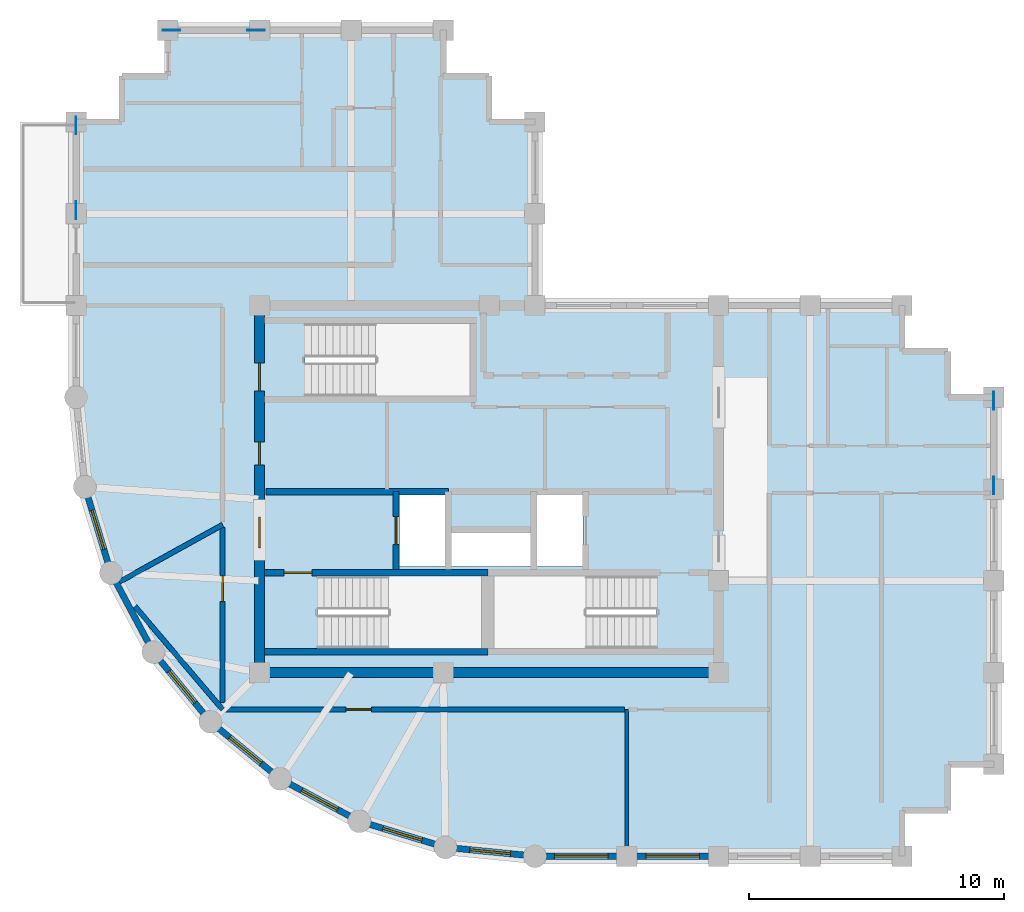
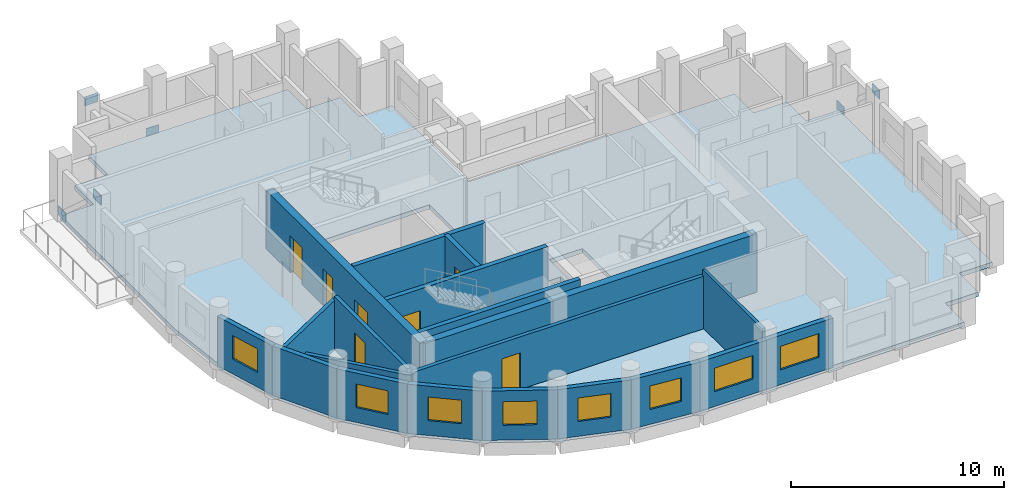
# One storey, part 2 of 6: 20 walls, 8 windows, 7 doors, 6 plates, 1 slab, 15 openings.
"""IFC4 building model written with IfcOpenShell, lengths in metres."""

import ifcopenshell
import ifcopenshell.guid

model = None  # the IFC model being written
_history = None  # IfcOwnerHistory: only IFC2X3 demands one
_inside = {}  # id of a spatial element -> (the spatial element, [elements in it])
_under = {}  # id of a project, library or spatial element -> (it, [spatial elements below it])
_declared = {}  # id of a project -> (the project, [libraries it declares])
_typed = {}  # id of a type object -> (the type object, [elements of that type])
_made_of = {}  # id of a material, layer set ... -> (it, [elements and type objects made of it])


def new_model(schema):
    """Start an empty IFC model of exactly this schema.

    Asked for "IFC4X3", IfcOpenShell would pick the latest addendum, in which some entities
    have other attributes; the version numbers below select the first issue.
    IFC2X3 requires an IfcOwnerHistory on every rooted entity: one is made here for all.
    """
    global model, _history
    if schema == "IFC4X3":
        model = ifcopenshell.file(schema_version=(4, 3, 0, 0))
    else:
        model = ifcopenshell.file(schema=schema)
    _inside.clear()
    _under.clear()
    _declared.clear()
    _typed.clear()
    _made_of.clear()
    _history = None
    if model.schema == "IFC2X3":
        org = make("IfcOrganization", Name="unknown")
        user = make(
            "IfcPersonAndOrganization",
            ThePerson=make("IfcPerson", FamilyName="unknown"),
            TheOrganization=org,
        )
        app = make(
            "IfcApplication",
            ApplicationDeveloper=org,
            Version="unknown",
            ApplicationFullName="unknown",
            ApplicationIdentifier="unknown",
        )
        _history = make(
            "IfcOwnerHistory",
            OwningUser=user,
            OwningApplication=app,
            ChangeAction="ADDED",
            CreationDate=0,
        )
    return model


def make(cls, **values):
    """One entity of the class cls with the attributes given. An attribute that is None is left unset."""
    return model.create_entity(
        cls, **{name: value for name, value in values.items() if value is not None}
    )


def rooted(cls, **values):
    """An entity with a GlobalId (a new one), such as an element, a storey or a relation."""
    return make(cls, GlobalId=ifcopenshell.guid.new(), OwnerHistory=_history, **values)


def si_unit(unit_type, name, prefix=None):
    """IfcSIUnit, for example si_unit("LENGTHUNIT", "METRE", prefix="MILLI")."""
    return make("IfcSIUnit", UnitType=unit_type, Prefix=prefix, Name=name)


def assignment(units):
    """IfcUnitAssignment: the units of a project."""
    return None if units is None else make("IfcUnitAssignment", Units=units)


def point(xyz):
    """IfcCartesianPoint."""
    return None if xyz is None else make("IfcCartesianPoint", Coordinates=xyz)


def direction(xyz):
    """IfcDirection."""
    return None if xyz is None else make("IfcDirection", DirectionRatios=xyz)


def frame(location, z_axis=None, x_axis=None):
    """IfcAxis2Placement3D, a coordinate frame: its origin and axes. An axis left out is left unset."""
    return make(
        "IfcAxis2Placement3D",
        Location=point(location),
        Axis=direction(z_axis),
        RefDirection=direction(x_axis),
    )


def frame_2d(location, x_axis=None):
    """IfcAxis2Placement2D, a coordinate frame in the plane: its origin and x axis."""
    return make(
        "IfcAxis2Placement2D", Location=point(location), RefDirection=direction(x_axis)
    )


def origin():
    """The frame at (0, 0, 0) with its axes left unset."""
    return frame((0.0, 0.0, 0.0))


def origin_2d():
    """The frame at (0, 0) in the plane with its x axis left unset."""
    return frame_2d((0.0, 0.0))


def place(relative_to, where):
    """IfcLocalPlacement: puts the frame where relative to a parent placement (None: the world)."""
    return make(
        "IfcLocalPlacement", PlacementRelTo=relative_to, RelativePlacement=where
    )


def context(
    kind, dimensions, precision=None, world=None, true_north=None, identifier=None
):
    """IfcGeometricRepresentationContext, for example the 3D "Model" context."""
    return make(
        "IfcGeometricRepresentationContext",
        ContextIdentifier=identifier,
        ContextType=kind,
        CoordinateSpaceDimension=dimensions,
        Precision=precision,
        WorldCoordinateSystem=world,
        TrueNorth=true_north,
    )


def subcontext(parent, identifier, kind, view, scale=None):
    """IfcGeometricRepresentationSubContext, for example "Body" below "Model"."""
    return make(
        "IfcGeometricRepresentationSubContext",
        ContextIdentifier=identifier,
        ContextType=kind,
        ParentContext=parent,
        TargetScale=scale,
        TargetView=view,
    )


def project(units=None, contexts=None):
    """IfcProject with its units and contexts."""
    return rooted(
        "IfcProject",
        Name="project",
        RepresentationContexts=contexts,
        UnitsInContext=assignment(units),
    )


def spatial(cls, under=None, at=None, **own):
    """A site, building, storey or space (cls), placed at a placement, below another one or the project."""
    s = rooted(cls, ObjectPlacement=at, **own)
    if under is not None:
        _under.setdefault(under.id(), (under, []))[1].append(s)
    return s


def polyline(points):
    """IfcPolyline through the points."""
    return make("IfcPolyline", Points=[point(p) for p in points])


def profile(cls, at=None, kind="AREA", **sizes):
    """A parametric profile (cls). Its sizes go by their IFC names, for example OverallWidth=200.0."""
    return make(cls, ProfileType=kind, Position=at, **sizes)


def rectangle(**sizes):
    """IfcRectangleProfileDef."""
    return profile("IfcRectangleProfileDef", **sizes)


def outline(outer, holes=None, kind="AREA"):
    """IfcArbitraryClosedProfileDef: a profile drawn as a closed curve; with holes, ...WithVoids."""
    if holes is None:
        return make("IfcArbitraryClosedProfileDef", ProfileType=kind, OuterCurve=outer)
    return make(
        "IfcArbitraryProfileDefWithVoids",
        ProfileType=kind,
        OuterCurve=outer,
        InnerCurves=holes,
    )


def extrude(swept, where, along, depth):
    """IfcExtrudedAreaSolid: the profile swept, set in the frame where, extruded along a direction by depth."""
    return make(
        "IfcExtrudedAreaSolid",
        SweptArea=swept,
        Position=where,
        ExtrudedDirection=direction(along),
        Depth=depth,
    )


def shape(context_of_items, identifier, shape_type, items):
    """IfcShapeRepresentation: the items that make up one representation, for example the "Body"."""
    return make(
        "IfcShapeRepresentation",
        ContextOfItems=context_of_items,
        RepresentationIdentifier=identifier,
        RepresentationType=shape_type,
        Items=items,
    )


def material(Name=None, Category=None):
    """IfcMaterial."""
    return make("IfcMaterial", Name=Name, Category=Category)


def layer(
    of_material, thickness, ventilated=None, Name=None, Category=None, Priority=None
):
    """IfcMaterialLayer: one layer of a wall or slab, of a material (None: an air gap)."""
    return make(
        "IfcMaterialLayer",
        Material=of_material,
        LayerThickness=thickness,
        IsVentilated=ventilated,
        Name=Name,
        Category=Category,
        Priority=Priority,
    )


def layer_set(layers, Name=None):
    """IfcMaterialLayerSet."""
    return make("IfcMaterialLayerSet", MaterialLayers=layers, LayerSetName=Name)


def made_of(thing, what):
    """Note that an element or type object is made of a material, layer set ...; save() writes the relation."""
    if what is not None:
        _made_of.setdefault(what.id(), (what, []))[1].append(thing)
    return thing


def type_object(cls, material=None, **own):
    """A type object (cls), such as IfcWallType, which elements share."""
    return made_of(rooted(cls, **own), material)


def element(
    cls,
    number,
    at=None,
    inside=None,
    cuts=None,
    type_object=None,
    material=None,
    context=None,
    identifier="Body",
    shape_type=None,
    held_by="IfcProductDefinitionShape",
    body=None,
    shapes=None,
    **own,
):
    """One element of the class cls, such as IfcWall. Its Tag is "e" and its number.

    at: its placement. inside: the storey or other place that contains it. cuts: it is an
    opening in that element (IfcRelVoidsElement). A single representation is given by context,
    identifier, shape_type and body (its items); several are given by shapes. held_by: the class
    of the entity that holds the representations. save() writes the other relations.
    """
    e = rooted(cls, Tag="e%d" % number, ObjectPlacement=at, **own)
    if body is not None:
        shapes = [shape(context, identifier, shape_type, body)]
    if shapes is not None:
        e.Representation = make(held_by, Representations=shapes)
    if inside is not None:
        _inside.setdefault(inside.id(), (inside, []))[1].append(e)
    if cuts is not None:
        rooted(
            "IfcRelVoidsElement", RelatingBuildingElement=cuts, RelatedOpeningElement=e
        )
    if type_object is not None:
        _typed.setdefault(type_object.id(), (type_object, []))[1].append(e)
    return made_of(e, material)


def fill(opening, filler):
    """IfcRelFillsElement: the door or window that sits in an opening."""
    return rooted(
        "IfcRelFillsElement",
        RelatingOpeningElement=opening,
        RelatedBuildingElement=filler,
    )


def aggregate(whole, parts):
    """IfcRelAggregates: a whole, such as a stair, and the parts it consists of."""
    return rooted("IfcRelAggregates", RelatingObject=whole, RelatedObjects=parts)


def save(model, path):
    """Write the relations noted so far, then the file.

    IfcRelAggregates (storeys below a building ...), IfcRelContainedInSpatialStructure (elements
    in a storey), IfcRelDefinesByType, IfcRelAssociatesMaterial and IfcRelDeclares: one each for
    every whole, place, type object, material and project.
    """
    for whole, parts in _under.values():
        aggregate(whole, parts)
    for where, things in _inside.values():
        rooted(
            "IfcRelContainedInSpatialStructure",
            RelatedElements=things,
            RelatingStructure=where,
        )
    for kind, things in _typed.values():
        rooted("IfcRelDefinesByType", RelatedObjects=things, RelatingType=kind)
    for what, things in _made_of.values():
        rooted("IfcRelAssociatesMaterial", RelatedObjects=things, RelatingMaterial=what)
    for by, libraries in _declared.values():
        rooted("IfcRelDeclares", RelatingContext=by, RelatedDefinitions=libraries)
    model.write(path)


model = new_model("IFC4")

# Units and contexts
model_context = context("Model", 3, precision=1e-05, world=origin(), true_north=direction((0.0, 1.0)))
body_context = subcontext(model_context, "Body", "Model", "MODEL_VIEW")
ifc_project = project(units=[si_unit("LENGTHUNIT", "METRE"), si_unit("AREAUNIT", "SQUARE_METRE"), si_unit("VOLUMEUNIT", "CUBIC_METRE"), si_unit("PLANEANGLEUNIT", "RADIAN"), si_unit("MASSUNIT", "GRAM", prefix="KILO")], contexts=[model_context])

# Site, building, storey
site_placement = place(None, origin())
site = spatial("IfcSite", under=ifc_project, at=site_placement, CompositionType="ELEMENT")
building_placement = place(site_placement, origin())
building = spatial("IfcBuilding", under=site, at=building_placement, Name="Solnavia Interchange Tower", CompositionType="ELEMENT")
storey_placement = place(building_placement, frame((0.0, 0.0, 270.199951171875)))
storey = spatial("IfcBuildingStorey", under=building, at=storey_placement, Name="L68", CompositionType="ELEMENT", Elevation=270.199951171875)

# Plates
ifc_material_1 = material(Name="Steel S460", Category="steel")
ifc_layer_1 = layer(ifc_material_1, 0.030029296875)
ifc_layer_set_1 = layer_set([ifc_layer_1], Name="Steel S460")
plate_type = type_object("IfcPlateType", Name="Plate-Gusset-700x520x30", PredefinedType="USERDEFINED", material=ifc_layer_set_1)
for number, where, z_axis, x_axis, name in (
    (1, (7.199951171875, 32.260009765625, -0.080078125), (0.0, 0.0, 1.0), (0.0, -1.0, 0.0), "PLT-L68-GP01 Perimeter brace gusset plate"),
    (2, (7.199951171875, 28.93994140625, 2.91015625), (0.0, 0.0, 1.0), (0.0, -1.0, 0.0), "PLT-L68-GP02 Perimeter brace gusset plate"),
    (3, (43.199951171875, 21.4599609375, -0.080078125), (0.0, 0.0, 1.0), (0.0, -1.0, 0.0), "PLT-L68-GP03 Perimeter brace gusset plate"),
    (4, (43.199951171875, 18.139892578125, 2.91015625), (0.0, 0.0, 1.0), (0.0, -1.0, 0.0), "PLT-L68-GP04 Perimeter brace gusset plate"),
    (5, (14.260009765625, 36.0, -0.080078125), (0.0, 0.0, 1.0), (-1.0, 0.0, 0.0), "PLT-L68-GP05 Perimeter brace gusset plate"),
    (6, (10.93994140625, 36.0, 2.91015625), (0.0, 0.0, 1.0), (-1.0, 0.0, 0.0), "PLT-L68-GP06 Perimeter brace gusset plate"),
):
    element("IfcPlate", number, at=place(storey_placement, frame(where, z_axis=z_axis, x_axis=x_axis)), inside=storey, type_object=plate_type, Name=name, ObjectType="GUSSET PLATE", PredefinedType="USERDEFINED", context=body_context, shape_type="SweptSolid", body=[
        extrude(rectangle(XDim=0.699951171875, YDim=0.030029296875, at=origin_2d()), origin(), (0.0, 0.0, 1.0), 0.52001953125),
    ])

# Slab
ifc_material_2 = material(Name="Concrete C40/50", Category="concrete")
ifc_layer_2 = layer(ifc_material_2, 0.25)
ifc_layer_set_2 = layer_set([ifc_layer_2], Name="Concrete C40/50")
slab_type = type_object("IfcSlabType", Name="Slab-Tower-250", PredefinedType="FLOOR", material=ifc_layer_set_2)
slab_placement = place(storey_placement, frame((0.0, 0.0, -0.25)))
element("IfcSlab", 7, at=slab_placement, inside=storey, type_object=slab_type, Name="SLB-L68-01 Structural floor slab", PredefinedType="FLOOR", context=body_context, shape_type="SweptSolid", body=[
    extrude(outline(polyline([(25.199951171875, 3.60009765625), (39.60009765625, 3.60009765625), (39.60009765625, 5.39990234375), (41.39990234375, 5.39990234375), (41.39990234375, 7.199951171875), (43.199951171875, 7.199951171875), (43.199951171875, 21.60009765625), (41.39990234375, 21.60009765625), (41.39990234375, 23.39990234375), (39.60009765625, 23.39990234375), (39.60009765625, 25.199951171875), (25.199951171875, 25.199951171875), (25.199951171875, 32.39990234375), (23.39990234375, 32.39990234375), (23.39990234375, 34.199951171875), (21.60009765625, 34.199951171875), (21.60009765625, 36.0), (10.800048828125, 36.0), (10.800048828125, 34.199951171875), (9.0, 34.199951171875), (9.0, 32.39990234375), (7.199951171875, 32.39990234375), (7.199951171875, 21.60009765625), (7.5458984375, 18.087890625), (8.570068359375, 14.7119140625), (10.23388671875, 11.60009765625), (12.471923828125, 8.8720703125), (15.199951171875, 6.634033203125), (18.31201171875, 4.969970703125), (21.68798828125, 3.946044921875), (25.199951171875, 3.60009765625)]), holes=[polyline([(16.675048828125, 11.75), (23.10009765625, 11.75), (23.10009765625, 14.590087890625), (16.675048828125, 14.590087890625), (16.675048828125, 11.75)]), polyline([(23.60009765625, 11.75), (29.97509765625, 11.75), (29.97509765625, 14.590087890625), (23.60009765625, 14.590087890625), (23.60009765625, 11.75)]), polyline([(16.175048828125, 21.64990234375), (22.64990234375, 21.64990234375), (22.64990234375, 24.489990234375), (16.175048828125, 24.489990234375), (16.175048828125, 21.64990234375)]), polyline([(19.8798828125, 14.9599609375), (21.679931640625, 14.9599609375), (21.679931640625, 17.780029296875), (19.8798828125, 17.780029296875), (19.8798828125, 14.9599609375)]), polyline([(25.280029296875, 14.9599609375), (27.080078125, 14.9599609375), (27.080078125, 17.780029296875), (25.280029296875, 17.780029296875), (25.280029296875, 14.9599609375)]), polyline([(21.919921875, 14.9599609375), (25.02001953125, 14.9599609375), (25.02001953125, 16.280029296875), (21.919921875, 16.280029296875), (21.919921875, 14.9599609375)])]), origin(), (0.0, 0.0, 1.0), 0.25),
])

# Walls
ifc_material_3 = material(Name="Gypsum Acoustic Twin-Stud & Mineral Wool", Category="gypsum")
ifc_layer_3 = layer(ifc_material_3, 0.199951171875)
ifc_layer_set_3 = layer_set([ifc_layer_3], Name="Gypsum Acoustic Twin-Stud & Mineral Wool")
wall_type_1 = type_object("IfcWallType", Name="Wall-ApartmentParty-200", PredefinedType="PARTITIONING", material=ifc_layer_set_3)
wall_1_placement = place(storey_placement, frame((12.949951171875, 9.35009765625, 0.0), z_axis=(0.0, 0.0, 1.0), x_axis=(-0.648016103597, 0.761626633908, 0.0)))
element("IfcWall", 8, at=wall_1_placement, inside=storey, type_object=wall_type_1, Name="PTW-L68-09 Interior partition wall", PredefinedType="PARTITIONING", context=body_context, shape_type="SweptSolid", body=[
    extrude(rectangle(XDim=5.318603515625, YDim=0.199951171875, at=frame_2d((2.6591796875, 0.0))), origin(), (0.0, 0.0, 1.0), 2.830078125),
])
wall_2_placement = place(storey_placement, frame((12.949951171875, 16.60009765625, 0.0), z_axis=(0.0, 0.0, 1.0), x_axis=(-0.874941893529, -0.484227924586, 0.0)))
element("IfcWall", 9, at=wall_2_placement, inside=storey, type_object=wall_type_1, Name="PTW-L68-10 Interior partition wall", PredefinedType="PARTITIONING", context=body_context, shape_type="SweptSolid", body=[
    extrude(rectangle(XDim=4.70458984375, YDim=0.199951171875, at=frame_2d((2.352294921875, 0.0))), origin(), (0.0, 0.0, 1.0), 2.830078125),
])

# Wall, opening, door
wall_3_placement = place(storey_placement, frame((12.949951171875, 9.627685546875, 0.0), z_axis=(0.0, 0.0, 1.0), x_axis=(0.0, 1.0, 0.0)))
wall_3 = element("IfcWall", 10, at=wall_3_placement, inside=storey, type_object=wall_type_1, Name="PTW-L68-12 Interior partition wall", PredefinedType="PARTITIONING", context=body_context, shape_type="SweptSolid", body=[
    extrude(rectangle(XDim=6.868408203125, YDim=0.199951171875, at=frame_2d((3.43408203125, 0.0))), origin(), (0.0, 0.0, 1.0), 3.030029296875),
])
opening_1_placement = place(wall_3_placement, frame((3.952880859375, 0.0, 0.0)))
opening_1 = element("IfcOpeningElement", 11, at=opening_1_placement, cuts=wall_3, Name="Opening DR-07", PredefinedType="OPENING", context=body_context, shape_type="SweptSolid", body=[
    extrude(rectangle(XDim=1.0, YDim=2.10009765625, at=frame_2d((0.5, 1.050048828125))), frame((0.0, 0.10986328125, 0.0), z_axis=(0.0, -1.0, 0.0), x_axis=(1.0, 0.0, 0.0)), (0.0, 0.0, 1.0), 0.219970703125),
])
ifc_material_4 = material(Name="Timber & Acoustic Glazed Office Door", Category="wood")
door_type_1 = type_object("IfcDoorType", Name="Door-Office-1000x2100", OperationType="SINGLE_SWING_RIGHT", PredefinedType="DOOR", material=ifc_material_4)
door_1_placement = place(opening_1_placement, origin())
door_1 = element("IfcDoor", 12, at=door_1_placement, inside=storey, type_object=door_type_1, Name="DR-L68-04 Interior room door", OperationType="SINGLE_SWING_RIGHT", OverallHeight=2.10009765625, OverallWidth=1.0, PredefinedType="DOOR", context=body_context, shape_type="SweptSolid", body=[
    extrude(rectangle(XDim=1.0, YDim=2.10009765625, at=frame_2d((0.5, 1.050048828125))), frame((0.0, 0.02490234375, 0.0), z_axis=(0.0, -1.0, 0.0), x_axis=(1.0, 0.0, 0.0)), (0.0, 0.0, 1.0), 0.050048828125),
])
fill(opening_1, door_1)

wall_4_placement = place(storey_placement, frame((12.949951171875, 9.35009765625, 0.0), z_axis=(0.0, 0.0, 1.0), x_axis=(1.0, 0.0, 0.0)))
wall_4 = element("IfcWall", 13, at=wall_4_placement, inside=storey, type_object=wall_type_1, Name="PTW-L68-13 Interior partition wall", PredefinedType="PARTITIONING", context=body_context, shape_type="SweptSolid", body=[
    extrude(rectangle(XDim=15.77099609375, YDim=0.199951171875, at=frame_2d((7.885498046875, 0.0))), origin(), (0.0, 0.0, 1.0), 3.02001953125),
])
opening_2_placement = place(wall_4_placement, frame((4.8359375, 0.0, 0.0)))
opening_2 = element("IfcOpeningElement", 14, at=opening_2_placement, cuts=wall_4, Name="Opening DR-07", PredefinedType="OPENING", context=body_context, shape_type="SweptSolid", body=[
    extrude(rectangle(XDim=1.0, YDim=2.10009765625, at=frame_2d((0.5, 1.050048828125))), frame((0.0, 0.10986328125, 0.0), z_axis=(0.0, -1.0, 0.0), x_axis=(1.0, 0.0, 0.0)), (0.0, 0.0, 1.0), 0.219970703125),
])
door_2_placement = place(opening_2_placement, origin())
door_2 = element("IfcDoor", 15, at=door_2_placement, inside=storey, type_object=door_type_1, Name="DR-L68-05 Interior room door", OperationType="SINGLE_SWING_LEFT", OverallHeight=2.10009765625, OverallWidth=1.0, PredefinedType="DOOR", context=body_context, shape_type="SweptSolid", body=[
    extrude(rectangle(XDim=1.0, YDim=2.10009765625, at=frame_2d((0.5, 1.050048828125))), frame((0.0, 0.02490234375, 0.0), z_axis=(0.0, -1.0, 0.0), x_axis=(1.0, 0.0, 0.0)), (0.0, 0.0, 1.0), 0.050048828125),
])
fill(opening_2, door_2)

# Wall, opening, window
ifc_layer_4 = layer(ifc_material_2, 0.25)
ifc_layer_set_4 = layer_set([ifc_layer_4], Name="Concrete C40/50")
wall_type_2 = type_object("IfcWallType", Name="Wall-ExtSpandrel-250", PredefinedType="STANDARD", material=ifc_layer_set_4)
wall_5_placement = place(storey_placement, frame((28.800048828125, 3.60009765625, 0.0), z_axis=(0.0, 0.0, 1.0), x_axis=(-1.0, 0.0, 0.0)))
wall_5 = element("IfcWall", 16, at=wall_5_placement, inside=storey, type_object=wall_type_2, Name="EXW-L68-01 Exterior precast spandrel wall", PredefinedType="STANDARD", context=body_context, shape_type="SweptSolid", body=[
    extrude(rectangle(XDim=3.60009765625, YDim=0.25, at=frame_2d((1.800048828125, 0.0))), origin(), (0.0, 0.0, 1.0), 2.830078125),
])
opening_3_placement = place(wall_5_placement, frame((0.72509765625, 0.0, 0.85009765625)))
opening_3 = element("IfcOpeningElement", 17, at=opening_3_placement, cuts=wall_5, Name="Opening WIN-01", PredefinedType="OPENING", context=body_context, shape_type="SweptSolid", body=[
    extrude(rectangle(XDim=2.10009765625, YDim=1.35009765625, at=frame_2d((1.050048828125, 0.675048828125))), frame((0.0, 0.135009765625, 0.0), z_axis=(0.0, -1.0, 0.0), x_axis=(1.0, 0.0, 0.0)), (0.0, 0.0, 1.0), 0.27001953125),
])
ifc_material_5 = material(Name="Thermal-Break Aluminium & Low-E Glass", Category="aluminium")
window_type_1 = type_object("IfcWindowType", Name="Window-Ribbon-2100x1350", PartitioningType="SINGLE_PANEL", PredefinedType="WINDOW", material=ifc_material_5)
window_1_placement = place(opening_3_placement, origin())
window_1 = element("IfcWindow", 18, at=window_1_placement, inside=storey, type_object=window_type_1, Name="WIN-L68-01 Facade ribbon window", OverallHeight=1.35009765625, OverallWidth=2.10009765625, PartitioningType="SINGLE_PANEL", PredefinedType="WINDOW", context=body_context, shape_type="SweptSolid", body=[
    extrude(rectangle(XDim=2.10009765625, YDim=1.35009765625, at=frame_2d((1.050048828125, 0.675048828125))), frame((0.0, 0.030029296875, 0.0), z_axis=(0.0, -1.0, 0.0), x_axis=(1.0, 0.0, 0.0)), (0.0, 0.0, 1.0), 0.06005859375),
])
fill(opening_3, window_1)

wall_6_placement = place(storey_placement, frame((32.39990234375, 3.60009765625, 0.0), z_axis=(0.0, 0.0, 1.0), x_axis=(-1.0, 0.0, 0.0)))
wall_6 = element("IfcWall", 19, at=wall_6_placement, inside=storey, type_object=wall_type_2, Name="EXW-L68-02 Exterior precast spandrel wall", PredefinedType="STANDARD", context=body_context, shape_type="SweptSolid", body=[
    extrude(rectangle(XDim=3.599853515625, YDim=0.25, at=frame_2d((1.7998046875, 0.0))), origin(), (0.0, 0.0, 1.0), 2.830078125),
])
opening_4_placement = place(wall_6_placement, frame((0.75, 0.0, 0.85009765625)))
opening_4 = element("IfcOpeningElement", 20, at=opening_4_placement, cuts=wall_6, Name="Opening WIN-01", PredefinedType="OPENING", context=body_context, shape_type="SweptSolid", body=[
    extrude(rectangle(XDim=2.10009765625, YDim=1.35009765625, at=frame_2d((1.050048828125, 0.675048828125))), frame((0.0, 0.135009765625, 0.0), z_axis=(0.0, -1.0, 0.0), x_axis=(1.0, 0.0, 0.0)), (0.0, 0.0, 1.0), 0.27001953125),
])
window_2_placement = place(opening_4_placement, origin())
window_2 = element("IfcWindow", 21, at=window_2_placement, inside=storey, type_object=window_type_1, Name="WIN-L68-02 Facade ribbon window", OverallHeight=1.35009765625, OverallWidth=2.10009765625, PartitioningType="SINGLE_PANEL", PredefinedType="WINDOW", context=body_context, shape_type="SweptSolid", body=[
    extrude(rectangle(XDim=2.10009765625, YDim=1.35009765625, at=frame_2d((1.050048828125, 0.675048828125))), frame((0.0, 0.030029296875, 0.0), z_axis=(0.0, -1.0, 0.0), x_axis=(1.0, 0.0, 0.0)), (0.0, 0.0, 1.0), 0.06005859375),
])
fill(opening_4, window_2)

wall_7_placement = place(storey_placement, frame((8.570068359375, 14.7119140625, 0.0), z_axis=(0.0, 0.0, 1.0), x_axis=(-0.290305086481, 0.956934144423, 0.0)))
wall_7 = element("IfcWall", 22, at=wall_7_placement, inside=storey, type_object=wall_type_2, Name="EXW-L68-38 Exterior precast spandrel wall", PredefinedType="STANDARD", context=body_context, shape_type="SweptSolid", body=[
    extrude(rectangle(XDim=3.52783203125, YDim=0.25, at=frame_2d((1.763916015625, 0.0))), origin(), (0.0, 0.0, 1.0), 2.830078125),
])
opening_5_placement = place(wall_7_placement, frame((0.964111328125, 0.0, 0.85009765625)))
opening_5 = element("IfcOpeningElement", 23, at=opening_5_placement, cuts=wall_7, Name="Opening WIN-04", PredefinedType="OPENING", context=body_context, shape_type="SweptSolid", body=[
    extrude(rectangle(XDim=1.60009765625, YDim=1.35009765625, at=frame_2d((0.800048828125, 0.675048828125))), frame((0.0, 0.135009765625, 0.0), z_axis=(0.0, -1.0, 0.0), x_axis=(1.0, 0.0, 0.0)), (0.0, 0.0, 1.0), 0.27001953125),
])
window_type_2 = type_object("IfcWindowType", Name="Window-Drum-1600x1350", PartitioningType="SINGLE_PANEL", PredefinedType="WINDOW", material=ifc_material_5)
window_3_placement = place(opening_5_placement, origin())
window_3 = element("IfcWindow", 24, at=window_3_placement, inside=storey, type_object=window_type_2, Name="WIN-L68-38 Facade ribbon window", OverallHeight=1.35009765625, OverallWidth=1.60009765625, PartitioningType="SINGLE_PANEL", PredefinedType="WINDOW", context=body_context, shape_type="SweptSolid", body=[
    extrude(rectangle(XDim=1.60009765625, YDim=1.35009765625, at=frame_2d((0.800048828125, 0.675048828125))), frame((0.0, 0.030029296875, 0.0), z_axis=(0.0, -1.0, 0.0), x_axis=(1.0, 0.0, 0.0)), (0.0, 0.0, 1.0), 0.06005859375),
])
fill(opening_5, window_3)

# Wall
wall_8_placement = place(storey_placement, frame((10.23388671875, 11.60009765625, 0.0), z_axis=(0.0, 0.0, 1.0), x_axis=(-0.47151087309, 0.881860247748, 0.0)))
element("IfcWall", 25, at=wall_8_placement, inside=storey, type_object=wall_type_2, Name="EXW-L68-39 Exterior precast spandrel wall", PredefinedType="STANDARD", context=body_context, shape_type="SweptSolid", body=[
    extrude(rectangle(XDim=3.52880859375, YDim=0.25, at=frame_2d((1.764404296875, 0.0))), origin(), (0.0, 0.0, 1.0), 2.830078125),
])

# Wall, opening, window
wall_9_placement = place(storey_placement, frame((12.471923828125, 8.8720703125, 0.0), z_axis=(0.0, 0.0, 1.0), x_axis=(-0.634258295121, 0.773121216285, 0.0)))
wall_9 = element("IfcWall", 26, at=wall_9_placement, inside=storey, type_object=wall_type_2, Name="EXW-L68-40 Exterior precast spandrel wall", PredefinedType="STANDARD", context=body_context, shape_type="SweptSolid", body=[
    extrude(rectangle(XDim=3.528564453125, YDim=0.25, at=frame_2d((1.76416015625, 0.0))), origin(), (0.0, 0.0, 1.0), 2.830078125),
])
opening_6_placement = place(wall_9_placement, frame((0.964111328125, 0.0, 0.85009765625)))
opening_6 = element("IfcOpeningElement", 27, at=opening_6_placement, cuts=wall_9, Name="Opening WIN-04", PredefinedType="OPENING", context=body_context, shape_type="SweptSolid", body=[
    extrude(rectangle(XDim=1.60009765625, YDim=1.35009765625, at=frame_2d((0.800048828125, 0.675048828125))), frame((0.0, 0.135009765625, 0.0), z_axis=(0.0, -1.0, 0.0), x_axis=(1.0, 0.0, 0.0)), (0.0, 0.0, 1.0), 0.27001953125),
])
window_4_placement = place(opening_6_placement, origin())
window_4 = element("IfcWindow", 28, at=window_4_placement, inside=storey, type_object=window_type_2, Name="WIN-L68-40 Facade ribbon window", OverallHeight=1.35009765625, OverallWidth=1.60009765625, PartitioningType="SINGLE_PANEL", PredefinedType="WINDOW", context=body_context, shape_type="SweptSolid", body=[
    extrude(rectangle(XDim=1.60009765625, YDim=1.35009765625, at=frame_2d((0.800048828125, 0.675048828125))), frame((0.0, 0.030029296875, 0.0), z_axis=(0.0, -1.0, 0.0), x_axis=(1.0, 0.0, 0.0)), (0.0, 0.0, 1.0), 0.06005859375),
])
fill(opening_6, window_4)

wall_10_placement = place(storey_placement, frame((15.199951171875, 6.634033203125, 0.0), z_axis=(0.0, 0.0, 1.0), x_axis=(-0.773121216285, 0.634258295121, 0.0)))
wall_10 = element("IfcWall", 29, at=wall_10_placement, inside=storey, type_object=wall_type_2, Name="EXW-L68-41 Exterior precast spandrel wall", PredefinedType="STANDARD", context=body_context, shape_type="SweptSolid", body=[
    extrude(rectangle(XDim=3.528564453125, YDim=0.25, at=frame_2d((1.76416015625, 0.0))), origin(), (0.0, 0.0, 1.0), 2.830078125),
])
opening_7_placement = place(wall_10_placement, frame((0.964111328125, 0.0, 0.85009765625)))
opening_7 = element("IfcOpeningElement", 30, at=opening_7_placement, cuts=wall_10, Name="Opening WIN-04", PredefinedType="OPENING", context=body_context, shape_type="SweptSolid", body=[
    extrude(rectangle(XDim=1.60009765625, YDim=1.35009765625, at=frame_2d((0.800048828125, 0.675048828125))), frame((0.0, 0.135009765625, 0.0), z_axis=(0.0, -1.0, 0.0), x_axis=(1.0, 0.0, 0.0)), (0.0, 0.0, 1.0), 0.27001953125),
])
window_5_placement = place(opening_7_placement, origin())
window_5 = element("IfcWindow", 31, at=window_5_placement, inside=storey, type_object=window_type_2, Name="WIN-L68-41 Facade ribbon window", OverallHeight=1.35009765625, OverallWidth=1.60009765625, PartitioningType="SINGLE_PANEL", PredefinedType="WINDOW", context=body_context, shape_type="SweptSolid", body=[
    extrude(rectangle(XDim=1.60009765625, YDim=1.35009765625, at=frame_2d((0.800048828125, 0.675048828125))), frame((0.0, 0.030029296875, 0.0), z_axis=(0.0, -1.0, 0.0), x_axis=(1.0, 0.0, 0.0)), (0.0, 0.0, 1.0), 0.06005859375),
])
fill(opening_7, window_5)

wall_11_placement = place(storey_placement, frame((18.31201171875, 4.969970703125, 0.0), z_axis=(0.0, 0.0, 1.0), x_axis=(-0.881846862014, 0.471535907389, 0.0)))
wall_11 = element("IfcWall", 32, at=wall_11_placement, inside=storey, type_object=wall_type_2, Name="EXW-L68-42 Exterior precast spandrel wall", PredefinedType="STANDARD", context=body_context, shape_type="SweptSolid", body=[
    extrude(rectangle(XDim=3.529052734375, YDim=0.25, at=frame_2d((1.7646484375, 0.0))), origin(), (0.0, 0.0, 1.0), 2.830078125),
])
opening_8_placement = place(wall_11_placement, frame((0.964111328125, 0.0, 0.85009765625)))
opening_8 = element("IfcOpeningElement", 33, at=opening_8_placement, cuts=wall_11, Name="Opening WIN-04", PredefinedType="OPENING", context=body_context, shape_type="SweptSolid", body=[
    extrude(rectangle(XDim=1.60009765625, YDim=1.35009765625, at=frame_2d((0.800048828125, 0.675048828125))), frame((0.0, 0.135009765625, 0.0), z_axis=(0.0, -1.0, 0.0), x_axis=(1.0, 0.0, 0.0)), (0.0, 0.0, 1.0), 0.27001953125),
])
window_6_placement = place(opening_8_placement, origin())
window_6 = element("IfcWindow", 34, at=window_6_placement, inside=storey, type_object=window_type_2, Name="WIN-L68-42 Facade ribbon window", OverallHeight=1.35009765625, OverallWidth=1.60009765625, PartitioningType="SINGLE_PANEL", PredefinedType="WINDOW", context=body_context, shape_type="SweptSolid", body=[
    extrude(rectangle(XDim=1.60009765625, YDim=1.35009765625, at=frame_2d((0.800048828125, 0.675048828125))), frame((0.0, 0.030029296875, 0.0), z_axis=(0.0, -1.0, 0.0), x_axis=(1.0, 0.0, 0.0)), (0.0, 0.0, 1.0), 0.06005859375),
])
fill(opening_8, window_6)

wall_12_placement = place(storey_placement, frame((21.68798828125, 3.946044921875, 0.0), z_axis=(0.0, 0.0, 1.0), x_axis=(-0.956953367403, 0.290241714123, 0.0)))
wall_12 = element("IfcWall", 35, at=wall_12_placement, inside=storey, type_object=wall_type_2, Name="EXW-L68-43 Exterior precast spandrel wall", PredefinedType="STANDARD", context=body_context, shape_type="SweptSolid", body=[
    extrude(rectangle(XDim=3.52783203125, YDim=0.25, at=frame_2d((1.763916015625, 0.0))), origin(), (0.0, 0.0, 1.0), 2.830078125),
])
opening_9_placement = place(wall_12_placement, frame((0.964111328125, 0.0, 0.85009765625)))
opening_9 = element("IfcOpeningElement", 36, at=opening_9_placement, cuts=wall_12, Name="Opening WIN-04", PredefinedType="OPENING", context=body_context, shape_type="SweptSolid", body=[
    extrude(rectangle(XDim=1.60009765625, YDim=1.35009765625, at=frame_2d((0.800048828125, 0.675048828125))), frame((0.0, 0.135009765625, 0.0), z_axis=(0.0, -1.0, 0.0), x_axis=(1.0, 0.0, 0.0)), (0.0, 0.0, 1.0), 0.27001953125),
])
window_7_placement = place(opening_9_placement, origin())
window_7 = element("IfcWindow", 37, at=window_7_placement, inside=storey, type_object=window_type_2, Name="WIN-L68-43 Facade ribbon window", OverallHeight=1.35009765625, OverallWidth=1.60009765625, PartitioningType="SINGLE_PANEL", PredefinedType="WINDOW", context=body_context, shape_type="SweptSolid", body=[
    extrude(rectangle(XDim=1.60009765625, YDim=1.35009765625, at=frame_2d((0.800048828125, 0.675048828125))), frame((0.0, 0.030029296875, 0.0), z_axis=(0.0, -1.0, 0.0), x_axis=(1.0, 0.0, 0.0)), (0.0, 0.0, 1.0), 0.06005859375),
])
fill(opening_9, window_7)

wall_13_placement = place(storey_placement, frame((25.199951171875, 3.60009765625, 0.0), z_axis=(0.0, 0.0, 1.0), x_axis=(-0.995183369056, 0.098030923459, 0.0)))
wall_13 = element("IfcWall", 38, at=wall_13_placement, inside=storey, type_object=wall_type_2, Name="EXW-L68-44 Exterior precast spandrel wall", PredefinedType="STANDARD", context=body_context, shape_type="SweptSolid", body=[
    extrude(rectangle(XDim=3.529052734375, YDim=0.25, at=frame_2d((1.7646484375, 0.0))), origin(), (0.0, 0.0, 1.0), 2.830078125),
])
opening_10_placement = place(wall_13_placement, frame((0.965087890625, 0.0, 0.85009765625)))
opening_10 = element("IfcOpeningElement", 39, at=opening_10_placement, cuts=wall_13, Name="Opening WIN-04", PredefinedType="OPENING", context=body_context, shape_type="SweptSolid", body=[
    extrude(rectangle(XDim=1.60009765625, YDim=1.35009765625, at=frame_2d((0.800048828125, 0.675048828125))), frame((0.0, 0.135009765625, 0.0), z_axis=(0.0, -1.0, 0.0), x_axis=(1.0, 0.0, 0.0)), (0.0, 0.0, 1.0), 0.27001953125),
])
window_8_placement = place(opening_10_placement, origin())
window_8 = element("IfcWindow", 40, at=window_8_placement, inside=storey, type_object=window_type_2, Name="WIN-L68-44 Facade ribbon window", OverallHeight=1.35009765625, OverallWidth=1.60009765625, PartitioningType="SINGLE_PANEL", PredefinedType="WINDOW", context=body_context, shape_type="SweptSolid", body=[
    extrude(rectangle(XDim=1.60009765625, YDim=1.35009765625, at=frame_2d((0.800048828125, 0.675048828125))), frame((0.0, 0.030029296875, 0.0), z_axis=(0.0, -1.0, 0.0), x_axis=(1.0, 0.0, 0.0)), (0.0, 0.0, 1.0), 0.06005859375),
])
fill(opening_10, window_8)

# Walls
ifc_material_6 = material(Name="Gypsum Plasterboard & Steel Stud", Category="steel")
ifc_layer_5 = layer(ifc_material_6, 0.14990234375)
ifc_layer_set_5 = layer_set([ifc_layer_5], Name="Gypsum Plasterboard & Steel Stud")
wall_type_3 = type_object("IfcWallType", Name="Wall-Partition-150", PredefinedType="PARTITIONING", material=ifc_layer_set_5)
wall_14_placement = place(storey_placement, frame((28.800048828125, 9.35009765625, 0.0), z_axis=(0.0, 0.0, 1.0), x_axis=(0.0, -1.0, 0.0)))
element("IfcWall", 41, at=wall_14_placement, inside=storey, type_object=wall_type_3, Name="PTW-L68-08 Interior partition wall", PredefinedType="PARTITIONING", context=body_context, shape_type="SweptSolid", body=[
    extrude(rectangle(XDim=5.62109375, YDim=0.14990234375, at=frame_2d((2.810546875, 0.0))), origin(), (0.0, 0.0, 1.0), 3.3349609375),
])
ifc_layer_6 = layer(ifc_material_2, 0.25)
ifc_layer_set_6 = layer_set([ifc_layer_6], Name="Concrete C40/50")
wall_type_4 = type_object("IfcWallType", Name="Wall-ShaftCore-250", PredefinedType="SHEAR", material=ifc_layer_set_6)
wall_15_placement = place(storey_placement, frame((14.60009765625, 11.625, 0.0), z_axis=(0.0, 0.0, 1.0), x_axis=(1.0, 0.0, 0.0)))
element("IfcWall", 42, at=wall_15_placement, inside=storey, type_object=wall_type_4, Name="SHW-L68-ST1S Core shear wall", PredefinedType="SHEAR", context=body_context, shape_type="SweptSolid", body=[
    extrude(rectangle(XDim=8.75, YDim=0.25, at=frame_2d((4.375, 0.0))), origin(), (0.0, 0.0, 1.0), 3.35009765625),
])

# Wall, opening, door
wall_16_placement = place(storey_placement, frame((14.60009765625, 14.715087890625, 0.0), z_axis=(0.0, 0.0, 1.0), x_axis=(1.0, 0.0, 0.0)))
wall_16 = element("IfcWall", 43, at=wall_16_placement, inside=storey, type_object=wall_type_4, Name="SHW-L68-ST1N Core shear wall", PredefinedType="SHEAR", context=body_context, shape_type="SweptSolid", body=[
    extrude(rectangle(XDim=8.75, YDim=0.25, at=frame_2d((4.375, 0.0))), origin(), (0.0, 0.0, 1.0), 3.35009765625),
])
opening_11_placement = place(wall_16_placement, frame((0.7548828125, 0.0, 0.0)))
opening_11 = element("IfcOpeningElement", 44, at=opening_11_placement, cuts=wall_16, Name="Opening DR-01", PredefinedType="OPENING", context=body_context, shape_type="SweptSolid", body=[
    extrude(rectangle(XDim=1.10009765625, YDim=2.10009765625, at=frame_2d((0.550048828125, 1.050048828125))), frame((0.0, 0.135009765625, 0.0), z_axis=(0.0, -1.0, 0.0), x_axis=(1.0, 0.0, 0.0)), (0.0, 0.0, 1.0), 0.27001953125),
])
ifc_material_7 = material(Name="Steel Fire-Rated Leaf & Frame", Category="steel")
door_type_2 = type_object("IfcDoorType", Name="Door-StairFire-1100x2100", OperationType="SINGLE_SWING_LEFT", PredefinedType="DOOR", material=ifc_material_7)
door_3_placement = place(opening_11_placement, origin())
door_3 = element("IfcDoor", 45, at=door_3_placement, inside=storey, type_object=door_type_2, Name="DR-L68-ST1 Core fire door", OperationType="SINGLE_SWING_LEFT", OverallHeight=2.10009765625, OverallWidth=1.10009765625, PredefinedType="DOOR", context=body_context, shape_type="SweptSolid", body=[
    extrude(rectangle(XDim=1.10009765625, YDim=2.10009765625, at=frame_2d((0.550048828125, 1.050048828125))), frame((0.0, 0.02490234375, 0.0), z_axis=(0.0, -1.0, 0.0), x_axis=(1.0, 0.0, 0.0)), (0.0, 0.0, 1.0), 0.050048828125),
])
fill(opening_11, door_3)

# Wall
ifc_layer_7 = layer(ifc_material_2, 0.25)
ifc_layer_set_7 = layer_set([ifc_layer_7], Name="Concrete C40/50")
wall_type_5 = type_object("IfcWallType", Name="Wall-ShaftPart-250", PredefinedType="PARTITIONING", material=ifc_layer_set_7)
wall_17_placement = place(storey_placement, frame((14.64990234375, 17.89990234375, 0.0), z_axis=(0.0, 0.0, 1.0), x_axis=(1.0, 0.0, 0.0)))
element("IfcWall", 46, at=wall_17_placement, inside=storey, type_object=wall_type_5, Name="SHW-L68-FFLW-N Core shaft wall", PredefinedType="PARTITIONING", context=body_context, shape_type="SweptSolid", body=[
    extrude(rectangle(XDim=7.150146484375, YDim=0.25, at=frame_2d((3.5751953125, 0.0))), origin(), (0.0, 0.0, 1.0), 3.3349609375),
])

# Wall, opening, door
wall_18_placement = place(storey_placement, frame((19.75, 14.840087890625, 0.0), z_axis=(0.0, 0.0, 1.0), x_axis=(0.0, 1.0, 0.0)))
wall_18 = element("IfcWall", 47, at=wall_18_placement, inside=storey, type_object=wall_type_5, Name="SHW-L68-FFL1-W Core shaft wall", PredefinedType="PARTITIONING", context=body_context, shape_type="SweptSolid", body=[
    extrude(rectangle(XDim=3.059814453125, YDim=0.25, at=frame_2d((1.52978515625, 0.0))), origin(), (0.0, 0.0, 1.0), 3.3349609375),
])
opening_12_placement = place(wall_18_placement, frame((0.97998046875, 0.0, 0.0)))
opening_12 = element("IfcOpeningElement", 48, at=opening_12_placement, cuts=wall_18, Name="Opening LD-01", PredefinedType="OPENING", context=body_context, shape_type="SweptSolid", body=[
    extrude(rectangle(XDim=1.10009765625, YDim=2.10009765625, at=frame_2d((0.550048828125, 1.050048828125))), frame((0.0, 0.135009765625, 0.0), z_axis=(0.0, -1.0, 0.0), x_axis=(1.0, 0.0, 0.0)), (0.0, 0.0, 1.0), 0.27001953125),
])
ifc_material_8 = material(Name="Brushed Stainless Steel Sliding Door", Category="steel")
door_type_3 = type_object("IfcDoorType", Name="Door-LiftLanding-1100x2100", OperationType="SLIDING_TO_LEFT", PredefinedType="DOOR", material=ifc_material_8)
door_4_placement = place(opening_12_placement, origin())
door_4 = element("IfcDoor", 49, at=door_4_placement, inside=storey, type_object=door_type_3, Name="LD-L68-FFL1 Lift landing sliding door", OperationType="SLIDING_TO_LEFT", OverallHeight=2.10009765625, OverallWidth=1.10009765625, PredefinedType="DOOR", context=body_context, shape_type="SweptSolid", body=[
    extrude(rectangle(XDim=1.10009765625, YDim=2.10009765625, at=frame_2d((0.550048828125, 1.050048828125))), frame((0.0, 0.02490234375, 0.0), z_axis=(0.0, -1.0, 0.0), x_axis=(1.0, 0.0, 0.0)), (0.0, 0.0, 1.0), 0.050048828125),
])
fill(opening_12, door_4)

# Wall
ifc_material_9 = material(Name="Concrete C50/60", Category="concrete")
ifc_layer_8 = layer(ifc_material_9, 0.39990234375)
ifc_layer_set_8 = layer_set([ifc_layer_8], Name="Concrete C50/60")
wall_type_6 = type_object("IfcWallType", Name="Wall-ShearCore-400", PredefinedType="SHEAR", material=ifc_layer_set_8)
wall_19_placement = place(storey_placement, frame((14.39990234375, 10.800048828125, 0.0), z_axis=(0.0, 0.0, 1.0), x_axis=(1.0, 0.0, 0.0)))
element("IfcWall", 50, at=wall_19_placement, inside=storey, type_object=wall_type_6, Name="CRW-L68-S Core shear wall", PredefinedType="SHEAR", context=body_context, shape_type="SweptSolid", body=[
    extrude(rectangle(XDim=18.0, YDim=0.39990234375, at=frame_2d((9.0, 0.0))), origin(), (0.0, 0.0, 1.0), 3.35009765625),
])

# Wall, openings, doors
wall_20_placement = place(storey_placement, frame((14.39990234375, 10.800048828125, 0.0), z_axis=(0.0, 0.0, 1.0), x_axis=(0.0, 1.0, 0.0)))
wall_20 = element("IfcWall", 51, at=wall_20_placement, inside=storey, type_object=wall_type_6, Name="CRW-L68-W Core shear wall", PredefinedType="SHEAR", context=body_context, shape_type="SweptSolid", body=[
    extrude(rectangle(XDim=14.39990234375, YDim=0.39990234375, at=frame_2d((7.199951171875, 0.0))), origin(), (0.0, 0.0, 1.0), 3.35009765625),
])
opening_13_placement = place(wall_20_placement, frame((11.050048828125, 0.0, 0.0)))
opening_13 = element("IfcOpeningElement", 52, at=opening_13_placement, cuts=wall_20, Name="Opening DR-01", PredefinedType="OPENING", context=body_context, shape_type="SweptSolid", body=[
    extrude(rectangle(XDim=1.10009765625, YDim=2.10009765625, at=frame_2d((0.550048828125, 1.050048828125))), frame((0.0, 0.2099609375, 0.0), z_axis=(0.0, -1.0, 0.0), x_axis=(1.0, 0.0, 0.0)), (0.0, 0.0, 1.0), 0.419921875),
])
opening_14_placement = place(wall_20_placement, frame((4.89990234375, 0.0, 0.0)))
opening_14 = element("IfcOpeningElement", 53, at=opening_14_placement, cuts=wall_20, Name="Opening DR-02", PredefinedType="OPENING", context=body_context, shape_type="SweptSolid", body=[
    extrude(rectangle(XDim=1.199951171875, YDim=2.10009765625, at=frame_2d((0.60009765625, 1.050048828125))), frame((0.0, 0.2099609375, 0.0), z_axis=(0.0, -1.0, 0.0), x_axis=(1.0, 0.0, 0.0)), (0.0, 0.0, 1.0), 0.419921875),
])
opening_15_placement = place(wall_20_placement, frame((8.14990234375, 0.0, 0.0)))
opening_15 = element("IfcOpeningElement", 54, at=opening_15_placement, cuts=wall_20, Name="Opening DR-09", PredefinedType="OPENING", context=body_context, shape_type="SweptSolid", body=[
    extrude(rectangle(XDim=0.89990234375, YDim=2.10009765625, at=frame_2d((0.449951171875, 1.050048828125))), frame((0.0, 0.2099609375, 0.0), z_axis=(0.0, -1.0, 0.0), x_axis=(1.0, 0.0, 0.0)), (0.0, 0.0, 1.0), 0.419921875),
])
ifc_material_10 = material(Name="Engineered Oak Veneer Door", Category="wood")
door_type_4 = type_object("IfcDoorType", Name="Door-Internal-900x2100", OperationType="SINGLE_SWING_LEFT", PredefinedType="DOOR", material=ifc_material_10)
door_5_placement = place(opening_15_placement, origin())
door_5 = element("IfcDoor", 55, at=door_5_placement, inside=storey, type_object=door_type_4, Name="DR-L68-CS1 Core fire door", OperationType="SINGLE_SWING_RIGHT", OverallHeight=2.10009765625, OverallWidth=0.89990234375, PredefinedType="DOOR", context=body_context, shape_type="SweptSolid", body=[
    extrude(rectangle(XDim=0.89990234375, YDim=2.10009765625, at=frame_2d((0.449951171875, 1.050048828125))), frame((0.0, 0.02490234375, 0.0), z_axis=(0.0, -1.0, 0.0), x_axis=(1.0, 0.0, 0.0)), (0.0, 0.0, 1.0), 0.050048828125),
])
fill(opening_15, door_5)
ifc_material_11 = material(Name="Steel Fire-Rated Vision-Panel Door", Category="steel")
door_type_5 = type_object("IfcDoorType", Name="Door-LobbyFire-1200x2100", OperationType="SINGLE_SWING_RIGHT", PredefinedType="DOOR", material=ifc_material_11)
door_6_placement = place(opening_14_placement, origin())
door_6 = element("IfcDoor", 56, at=door_6_placement, inside=storey, type_object=door_type_5, Name="DR-L68-FFL1W Core fire door", OperationType="SINGLE_SWING_RIGHT", OverallHeight=2.10009765625, OverallWidth=1.199951171875, PredefinedType="DOOR", context=body_context, shape_type="SweptSolid", body=[
    extrude(rectangle(XDim=1.199951171875, YDim=2.10009765625, at=frame_2d((0.60009765625, 1.050048828125))), frame((0.0, 0.02490234375, 0.0), z_axis=(0.0, -1.0, 0.0), x_axis=(1.0, 0.0, 0.0)), (0.0, 0.0, 1.0), 0.050048828125),
])
fill(opening_14, door_6)
door_7_placement = place(opening_13_placement, origin())
door_7 = element("IfcDoor", 57, at=door_7_placement, inside=storey, type_object=door_type_2, Name="DR-L68-ST3 Core fire door", OperationType="SINGLE_SWING_RIGHT", OverallHeight=2.10009765625, OverallWidth=1.10009765625, PredefinedType="DOOR", context=body_context, shape_type="SweptSolid", body=[
    extrude(rectangle(XDim=1.10009765625, YDim=2.10009765625, at=frame_2d((0.550048828125, 1.050048828125))), frame((0.0, 0.02490234375, 0.0), z_axis=(0.0, -1.0, 0.0), x_axis=(1.0, 0.0, 0.0)), (0.0, 0.0, 1.0), 0.050048828125),
])
fill(opening_13, door_7)

save(model, "model.ifc")
